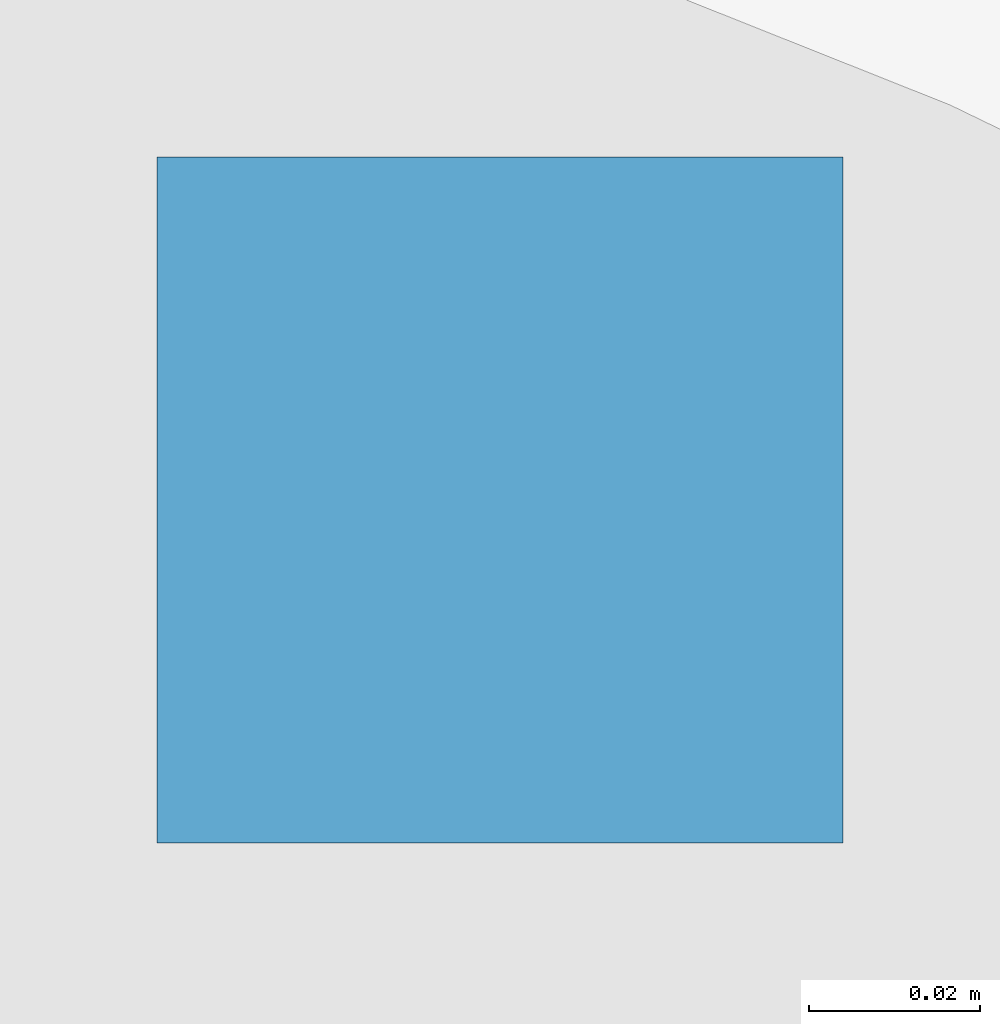
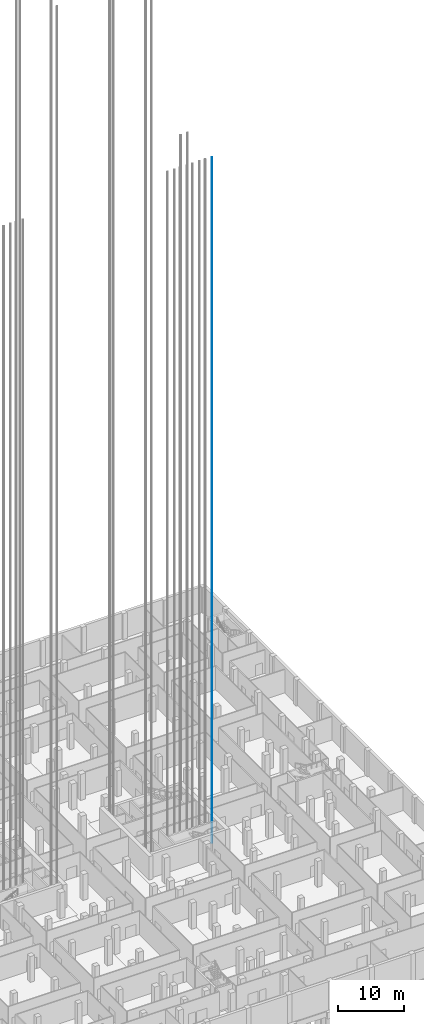
# One storey, part 49 of 54: 1 discrete accessory.
"""IFC4 building model written with IfcOpenShell, lengths in metres."""

from ifc_helpers import new_model, si_unit, direction, frame, origin, origin_2d, place, context, subcontext, project, spatial, rectangle, extrude, material, element, save


model = new_model("IFC4")

# Units and contexts
model_context = context("Model", 3, precision=1e-05, world=origin(), true_north=direction((0.0, 1.0)))
body_context = subcontext(model_context, "Body", "Model", "MODEL_VIEW")
ifc_project = project(units=[si_unit("LENGTHUNIT", "METRE"), si_unit("AREAUNIT", "SQUARE_METRE"), si_unit("VOLUMEUNIT", "CUBIC_METRE"), si_unit("PLANEANGLEUNIT", "RADIAN"), si_unit("MASSUNIT", "GRAM", prefix="KILO")], contexts=[model_context])

# Site, building, storey
site_placement = place(None, origin())
site = spatial("IfcSite", under=ifc_project, at=site_placement, CompositionType="ELEMENT")
building_placement = place(site_placement, origin())
building = spatial("IfcBuilding", under=site, at=building_placement, Name="Fustian Cross Tower", CompositionType="ELEMENT")
storey_placement = place(building_placement, frame((0.0, 0.0, -4.800048828125)))
storey = spatial("IfcBuildingStorey", under=building, at=storey_placement, Name="B1", CompositionType="ELEMENT", Elevation=-4.800048828125)

# Discrete accessory
ifc_material = material(Name="Steel S355", Category="steel")
discrete_accessory_placement = place(storey_placement, frame((20.47509765625, -3.7099609375, 0.0), z_axis=(0.0, 0.0, 1.0), x_axis=(1.0, 0.0, 0.0)))
element("IfcDiscreteAccessory", 1, at=discrete_accessory_placement, inside=storey, material=ifc_material, Name="Lift guide rail SH1 2", PredefinedType="NOTDEFINED", context=body_context, shape_type="SweptSolid", body=[
    extrude(rectangle(XDim=0.080078125, YDim=0.080078125, at=origin_2d()), origin(), (0.0, 0.0, 1.0), 127.14990234375),
])

save(model, "model.ifc")
